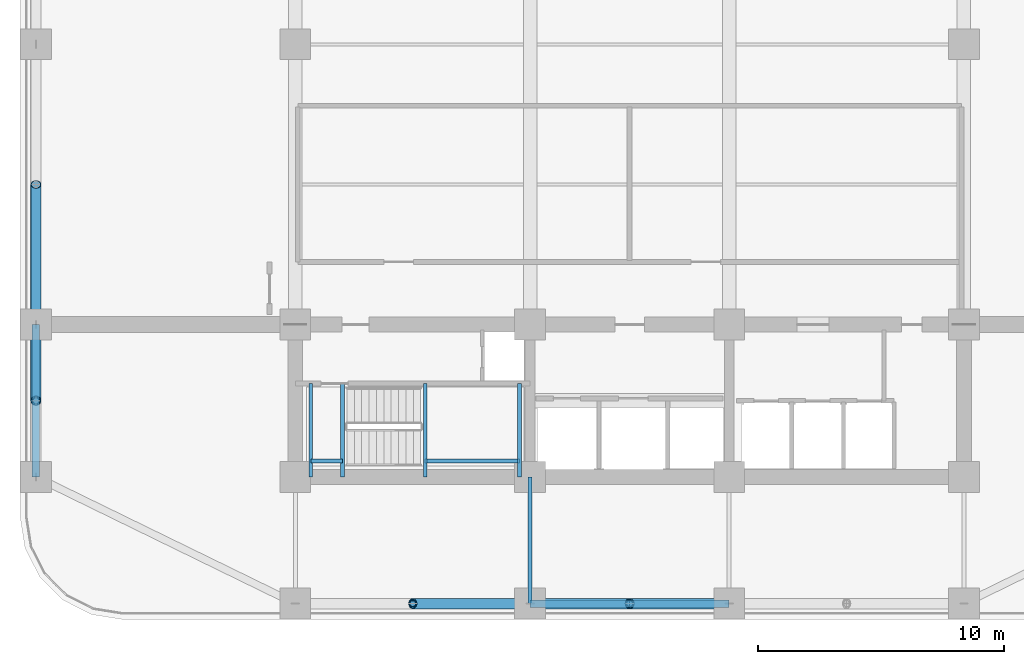
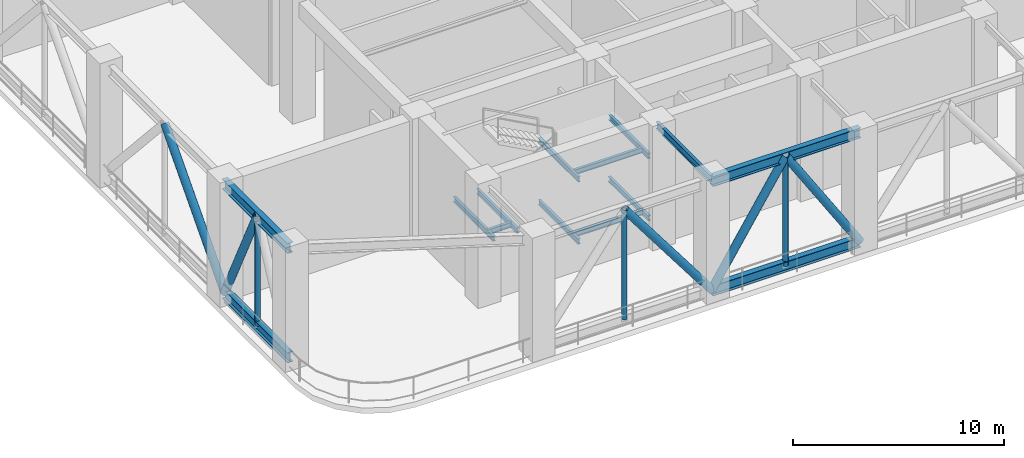
# One storey, part 2 of 20: 14 beams, 8 members.
"""IFC4 building model written with IfcOpenShell, lengths in metres."""

from ifc_helpers import new_model, si_unit, direction, frame, origin, origin_2d, place, context, subcontext, project, spatial, hollow_circle, i_section, extrude, material, material_profile, profile_set, type_object, element, save


model = new_model("IFC4")

# Units and contexts
model_context = context("Model", 3, precision=1e-05, world=origin(), true_north=direction((0.0, 1.0)))
body_context = subcontext(model_context, "Body", "Model", "MODEL_VIEW")
ifc_project = project(units=[si_unit("LENGTHUNIT", "METRE"), si_unit("AREAUNIT", "SQUARE_METRE"), si_unit("VOLUMEUNIT", "CUBIC_METRE"), si_unit("PLANEANGLEUNIT", "RADIAN"), si_unit("MASSUNIT", "GRAM", prefix="KILO")], contexts=[model_context])

# Site, building, storey
site_placement = place(None, origin())
site = spatial("IfcSite", under=ifc_project, at=site_placement, CompositionType="ELEMENT")
building_placement = place(site_placement, origin())
building = spatial("IfcBuilding", under=site, at=building_placement, Name="Svetorya Sky Lyceum", CompositionType="ELEMENT")
storey_placement = place(building_placement, frame((0.0, 0.0, 76.89990234375)))
storey = spatial("IfcBuildingStorey", under=building, at=storey_placement, Name="L19", CompositionType="ELEMENT", Elevation=76.89990234375)

# Beams
ifc_material = material(Name="Steel S355", Category="steel")
ifc_material_profile_1 = material_profile(ifc_material, i_section(OverallWidth=0.14990234375, OverallDepth=0.299072265625, WebThickness=0.006591796875, FlangeThickness=0.010498046875, at=origin_2d()), Name="GOST 30B2")
ifc_profile_set_1 = profile_set([ifc_material_profile_1], Name="Steel S355")
beam_type_1 = type_object("IfcBeamType", Name="BM-STL-30B2", PredefinedType="JOIST", material=ifc_profile_set_1)
for number, where, z_axis, x_axis, name in (
    (1, (30.8798828125, 10.60009765625, 1.45068359375), (0.0, 1.0, 0.0), (-1.0, 0.0, 0.0), "L19 Stair ST-S Half-Landing Support Beam 21.1"),
    (2, (34.719970703125, 10.60009765625, 1.45068359375), (0.0, 1.0, 0.0), (-1.0, 0.0, 0.0), "L19 Stair ST-S Half-Landing Support Beam 21.2"),
):
    element("IfcBeam", number, at=place(storey_placement, frame(where, z_axis=z_axis, x_axis=x_axis)), inside=storey, type_object=beam_type_1, Name=name, PredefinedType="JOIST", context=body_context, shape_type="SweptSolid", body=[
        extrude(i_section(OverallWidth=0.14990234375, OverallDepth=0.299072265625, WebThickness=0.006591796875, FlangeThickness=0.010498046875, at=origin_2d()), origin(), (0.0, 0.0, 1.0), 3.7998046875),
    ])
beam_1_placement = place(storey_placement, frame((30.8798828125, 11.25, 1.45068359375), z_axis=(1.0, 0.0, 0.0), x_axis=(0.0, 1.0, 0.0)))
element("IfcBeam", 3, at=beam_1_placement, inside=storey, type_object=beam_type_1, Name="L19 Stair ST-S Half-Landing Cross Tie 21", PredefinedType="JOIST", context=body_context, shape_type="SweptSolid", body=[
    extrude(i_section(OverallWidth=0.14990234375, OverallDepth=0.299072265625, WebThickness=0.006591796875, FlangeThickness=0.010498046875, at=origin_2d()), origin(), (0.0, 0.0, 1.0), 3.840087890625),
])
for number, where, z_axis, x_axis, name in (
    (4, (26.22998046875, 10.60009765625, 3.25048828125), (0.0, 1.0, 0.0), (-1.0, 0.0, 0.0), "L19 Stair ST-S Half-Landing Support Beam 22.1"),
    (5, (27.52001953125, 10.60009765625, 3.25048828125), (0.0, 1.0, 0.0), (-1.0, 0.0, 0.0), "L19 Stair ST-S Half-Landing Support Beam 22.2"),
):
    element("IfcBeam", number, at=place(storey_placement, frame(where, z_axis=z_axis, x_axis=x_axis)), inside=storey, type_object=beam_type_1, Name=name, PredefinedType="JOIST", context=body_context, shape_type="SweptSolid", body=[
        extrude(i_section(OverallWidth=0.14990234375, OverallDepth=0.299072265625, WebThickness=0.006591796875, FlangeThickness=0.010498046875, at=origin_2d()), origin(), (0.0, 0.0, 1.0), 3.7998046875),
    ])
beam_2_placement = place(storey_placement, frame((26.22998046875, 11.25, 3.25048828125), z_axis=(1.0, 0.0, 0.0), x_axis=(0.0, 1.0, 0.0)))
element("IfcBeam", 6, at=beam_2_placement, inside=storey, type_object=beam_type_1, Name="L19 Stair ST-S Half-Landing Cross Tie 22", PredefinedType="JOIST", context=body_context, shape_type="SweptSolid", body=[
    extrude(i_section(OverallWidth=0.14990234375, OverallDepth=0.299072265625, WebThickness=0.006591796875, FlangeThickness=0.010498046875, at=origin_2d()), origin(), (0.0, 0.0, 1.0), 1.2900390625),
])
for number, where, z_axis, x_axis, name in (
    (7, (30.8798828125, 10.60009765625, 5.050537109375), (0.0, 1.0, 0.0), (-1.0, 0.0, 0.0), "L19 Stair ST-S Half-Landing Support Beam 23.1"),
    (8, (34.719970703125, 10.60009765625, 5.050537109375), (0.0, 1.0, 0.0), (-1.0, 0.0, 0.0), "L19 Stair ST-S Half-Landing Support Beam 23.2"),
):
    element("IfcBeam", number, at=place(storey_placement, frame(where, z_axis=z_axis, x_axis=x_axis)), inside=storey, type_object=beam_type_1, Name=name, PredefinedType="JOIST", context=body_context, shape_type="SweptSolid", body=[
        extrude(i_section(OverallWidth=0.14990234375, OverallDepth=0.299072265625, WebThickness=0.006591796875, FlangeThickness=0.010498046875, at=origin_2d()), origin(), (0.0, 0.0, 1.0), 3.7998046875),
    ])
beam_3_placement = place(storey_placement, frame((30.8798828125, 11.25, 5.050537109375), z_axis=(1.0, 0.0, 0.0), x_axis=(0.0, 1.0, 0.0)))
element("IfcBeam", 9, at=beam_3_placement, inside=storey, type_object=beam_type_1, Name="L19 Stair ST-S Half-Landing Cross Tie 23", PredefinedType="JOIST", context=body_context, shape_type="SweptSolid", body=[
    extrude(i_section(OverallWidth=0.14990234375, OverallDepth=0.299072265625, WebThickness=0.006591796875, FlangeThickness=0.010498046875, at=origin_2d()), origin(), (0.0, 0.0, 1.0), 3.840087890625),
])
ifc_material_profile_2 = material_profile(ifc_material, i_section(OverallWidth=0.1650390625, OverallDepth=0.39990234375, WebThickness=0.008056640625, FlangeThickness=0.012939453125, at=origin_2d()), Name="GOST 40B2")
ifc_profile_set_2 = profile_set([ifc_material_profile_2], Name="Steel S355")
beam_type_2 = type_object("IfcBeamType", Name="BM-STL-40B2", PredefinedType="JOIST", material=ifc_profile_set_2)
beam_4_placement = place(storey_placement, frame((35.14990234375, 5.449951171875, 6.72021484375), z_axis=(0.0, 1.0, 0.0), x_axis=(-1.0, 0.0, 0.0)))
element("IfcBeam", 10, at=beam_4_placement, inside=storey, type_object=beam_type_2, Name="L19 South Bay Floor Girder S2", PredefinedType="JOIST", context=body_context, shape_type="SweptSolid", body=[
    extrude(i_section(OverallWidth=0.1650390625, OverallDepth=0.39990234375, WebThickness=0.008056640625, FlangeThickness=0.012939453125, at=origin_2d()), origin(), (0.0, 0.0, 1.0), 5.150146484375),
])
ifc_material_profile_3 = material_profile(ifc_material, i_section(OverallWidth=0.304931640625, OverallDepth=0.590087890625, WebThickness=0.014892578125, FlangeThickness=0.02392578125, at=origin_2d()), Name="GOST 60Sh2")
ifc_profile_set_3 = profile_set([ifc_material_profile_3], Name="Steel S355")
beam_type_3 = type_object("IfcBeamType", Name="BM-STL-60SH2", PredefinedType="BEAM", material=ifc_profile_set_3)
for number, where, z_axis, x_axis, name in (
    (11, (35.14990234375, 5.449951171875, 0.295166015625), (1.0, 0.0, 0.0), (0.0, 1.0, 0.0), "L19 Belt Truss Bottom Chord S-2"),
    (12, (35.14990234375, 5.449951171875, 6.625), (1.0, 0.0, 0.0), (0.0, 1.0, 0.0), "L19 Belt Truss Top Chord S-2"),
):
    element("IfcBeam", number, at=place(storey_placement, frame(where, z_axis=z_axis, x_axis=x_axis)), inside=storey, type_object=beam_type_3, Name=name, PredefinedType="BEAM", context=body_context, shape_type="SweptSolid", body=[
        extrude(i_section(OverallWidth=0.304931640625, OverallDepth=0.590087890625, WebThickness=0.014892578125, FlangeThickness=0.02392578125, at=origin_2d()), origin(), (0.0, 0.0, 1.0), 8.10009765625),
    ])
for number, where, z_axis, x_axis, name in (
    (13, (15.050048828125, 10.60009765625, 0.295166015625), (0.0, 1.0, 0.0), (-1.0, 0.0, 0.0), "L19 Belt Truss Bottom Chord W-1"),
    (14, (15.050048828125, 10.60009765625, 6.625), (0.0, 1.0, 0.0), (-1.0, 0.0, 0.0), "L19 Belt Truss Top Chord W-1"),
):
    element("IfcBeam", number, at=place(storey_placement, frame(where, z_axis=z_axis, x_axis=x_axis)), inside=storey, type_object=beam_type_3, Name=name, PredefinedType="BEAM", context=body_context, shape_type="SweptSolid", body=[
        extrude(i_section(OverallWidth=0.304931640625, OverallDepth=0.590087890625, WebThickness=0.014892578125, FlangeThickness=0.02392578125, at=origin_2d()), origin(), (0.0, 0.0, 1.0), 6.199951171875),
    ])

# Members
ifc_material_profile_4 = material_profile(ifc_material, hollow_circle(Radius=0.212890625, WallThickness=0.01806640625, at=origin_2d()), Name="CHS 426x18")
ifc_profile_set_4 = profile_set([ifc_material_profile_4], Name="Steel S355")
member_type_1 = type_object("IfcMemberType", Name="MB-BRC-CHS426", PredefinedType="BRACE", material=ifc_profile_set_4)
member_1_placement = place(storey_placement, frame((35.14990234375, 5.449951171875, 0.295166015625), z_axis=(-0.602219598405, 0.0, 0.79833048), x_axis=(0.0, -1.0, 0.0)))
element("IfcMember", 15, at=member_1_placement, inside=storey, type_object=member_type_1, Name="L19 Belt Truss Diagonal S-1B", PredefinedType="BRACE", context=body_context, shape_type="SweptSolid", body=[
    extrude(hollow_circle(Radius=0.212890625, WallThickness=0.01806640625, at=origin_2d()), origin(), (0.0, 0.0, 1.0), 7.928955078125),
])
for number, where, z_axis, x_axis, name in (
    (16, (35.14990234375, 5.449951171875, 0.295166015625), (0.53895504656, 0.0, 0.842334528432), (0.0, 1.0, 0.0), "L19 Belt Truss Diagonal S-2A"),
    (17, (43.25, 5.449951171875, 0.295166015625), (-0.53895504656, 0.0, 0.842334528432), (0.0, -1.0, 0.0), "L19 Belt Truss Diagonal S-2B"),
):
    element("IfcMember", number, at=place(storey_placement, frame(where, z_axis=z_axis, x_axis=x_axis)), inside=storey, type_object=member_type_1, Name=name, PredefinedType="BRACE", context=body_context, shape_type="SweptSolid", body=[
        extrude(hollow_circle(Radius=0.212890625, WallThickness=0.01806640625, at=origin_2d()), origin(), (0.0, 0.0, 1.0), 7.5146484375),
    ])
member_2_placement = place(storey_placement, frame((15.050048828125, 16.800048828125, 0.295166015625), z_axis=(0.0, -0.439841222403, 0.898075553099), x_axis=(1.0, 0.0, 0.0)))
element("IfcMember", 18, at=member_2_placement, inside=storey, type_object=member_type_1, Name="L19 Belt Truss Diagonal W-1B", PredefinedType="BRACE", context=body_context, shape_type="SweptSolid", body=[
    extrude(hollow_circle(Radius=0.212890625, WallThickness=0.01806640625, at=origin_2d()), origin(), (0.0, 0.0, 1.0), 7.04833984375),
])
member_3_placement = place(storey_placement, frame((15.050048828125, 16.800048828125, 0.295166015625), z_axis=(0.0, 0.669165814425, 0.743113122482), x_axis=(-1.0, 0.0, 0.0)))
element("IfcMember", 19, at=member_3_placement, inside=storey, type_object=member_type_1, Name="L19 Belt Truss Diagonal W-2A", PredefinedType="BRACE", context=body_context, shape_type="SweptSolid", body=[
    extrude(hollow_circle(Radius=0.212890625, WallThickness=0.01806640625, at=origin_2d()), origin(), (0.0, 0.0, 1.0), 8.51806640625),
])
ifc_material_profile_5 = material_profile(ifc_material, hollow_circle(Radius=0.136474609375, WallThickness=0.011962890625, at=origin_2d()), Name="CHS 273x12")
ifc_profile_set_5 = profile_set([ifc_material_profile_5], Name="Steel S355")
member_type_2 = type_object("IfcMemberType", Name="MB-STR-CHS273", PredefinedType="STRUT", material=ifc_profile_set_5)
for number, where, z_axis, x_axis, name in (
    (20, (30.375, 5.449951171875, 0.295166015625), (0.0, 0.0, 1.0), (1.0, 0.0, 0.0), "L19 Belt Truss Post S-1"),
    (21, (39.199951171875, 5.449951171875, 0.295166015625), (0.0, 0.0, 1.0), (1.0, 0.0, 0.0), "L19 Belt Truss Post S-2"),
    (22, (15.050048828125, 13.699951171875, 0.295166015625), (0.0, 0.0, 1.0), (1.0, 0.0, 0.0), "L19 Belt Truss Post W-1"),
):
    element("IfcMember", number, at=place(storey_placement, frame(where, z_axis=z_axis, x_axis=x_axis)), inside=storey, type_object=member_type_2, Name=name, PredefinedType="STRUT", context=body_context, shape_type="SweptSolid", body=[
        extrude(hollow_circle(Radius=0.136474609375, WallThickness=0.011962890625, at=origin_2d()), origin(), (0.0, 0.0, 1.0), 6.329833984375),
    ])

save(model, "model.ifc")
